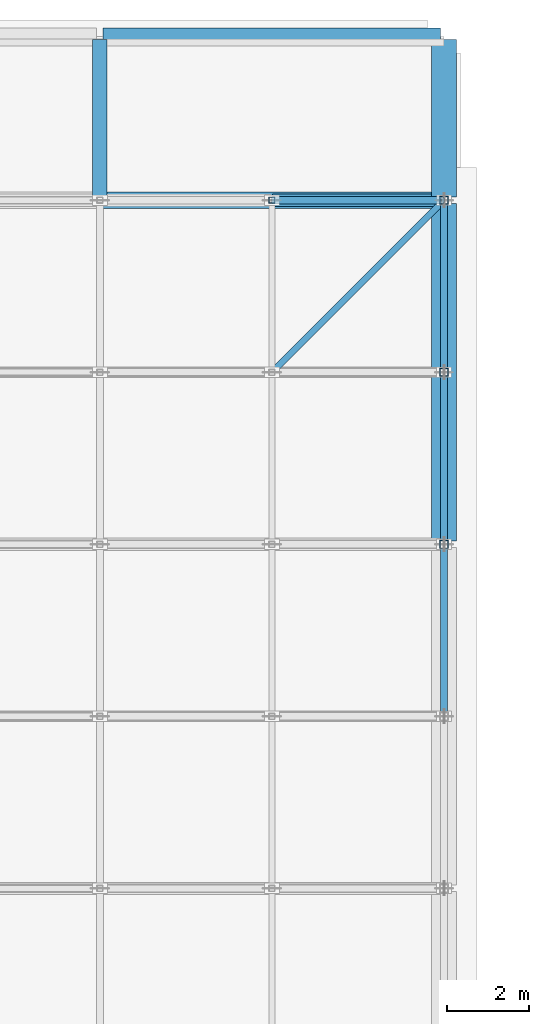
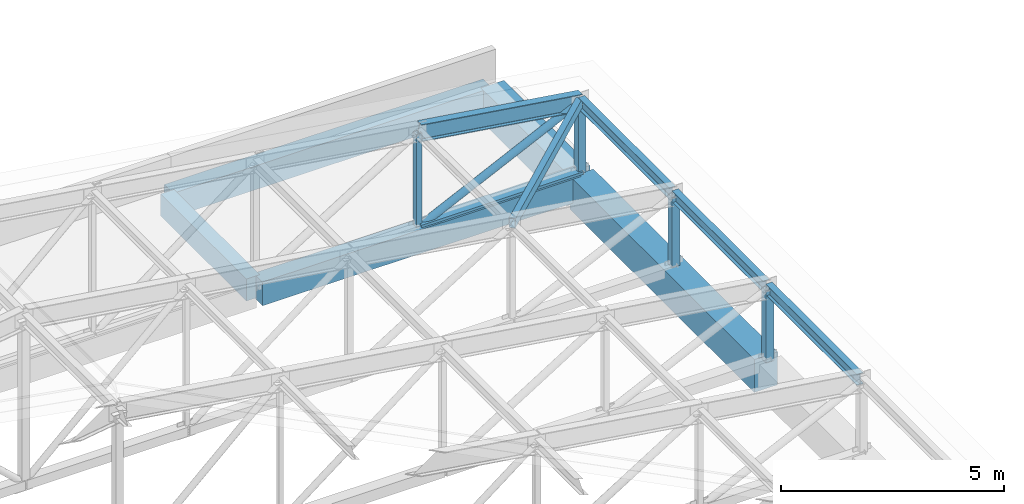
# One storey, part 41 of 122: 11 members, 5 beams.
"""IFC4 building model written with IfcOpenShell, lengths in metres."""

import ifcopenshell
import ifcopenshell.guid

model = None  # the IFC model being written
_history = None  # IfcOwnerHistory: only IFC2X3 demands one
_inside = {}  # id of a spatial element -> (the spatial element, [elements in it])
_under = {}  # id of a project, library or spatial element -> (it, [spatial elements below it])
_declared = {}  # id of a project -> (the project, [libraries it declares])
_typed = {}  # id of a type object -> (the type object, [elements of that type])
_made_of = {}  # id of a material, layer set ... -> (it, [elements and type objects made of it])


def new_model(schema):
    """Start an empty IFC model of exactly this schema.

    Asked for "IFC4X3", IfcOpenShell would pick the latest addendum, in which some entities
    have other attributes; the version numbers below select the first issue.
    IFC2X3 requires an IfcOwnerHistory on every rooted entity: one is made here for all.
    """
    global model, _history
    if schema == "IFC4X3":
        model = ifcopenshell.file(schema_version=(4, 3, 0, 0))
    else:
        model = ifcopenshell.file(schema=schema)
    _inside.clear()
    _under.clear()
    _declared.clear()
    _typed.clear()
    _made_of.clear()
    _history = None
    if model.schema == "IFC2X3":
        org = make("IfcOrganization", Name="unknown")
        user = make(
            "IfcPersonAndOrganization",
            ThePerson=make("IfcPerson", FamilyName="unknown"),
            TheOrganization=org,
        )
        app = make(
            "IfcApplication",
            ApplicationDeveloper=org,
            Version="unknown",
            ApplicationFullName="unknown",
            ApplicationIdentifier="unknown",
        )
        _history = make(
            "IfcOwnerHistory",
            OwningUser=user,
            OwningApplication=app,
            ChangeAction="ADDED",
            CreationDate=0,
        )
    return model


def make(cls, **values):
    """One entity of the class cls with the attributes given. An attribute that is None is left unset."""
    return model.create_entity(
        cls, **{name: value for name, value in values.items() if value is not None}
    )


def rooted(cls, **values):
    """An entity with a GlobalId (a new one), such as an element, a storey or a relation."""
    return make(cls, GlobalId=ifcopenshell.guid.new(), OwnerHistory=_history, **values)


def si_unit(unit_type, name, prefix=None):
    """IfcSIUnit, for example si_unit("LENGTHUNIT", "METRE", prefix="MILLI")."""
    return make("IfcSIUnit", UnitType=unit_type, Prefix=prefix, Name=name)


def assignment(units):
    """IfcUnitAssignment: the units of a project."""
    return None if units is None else make("IfcUnitAssignment", Units=units)


def point(xyz):
    """IfcCartesianPoint."""
    return None if xyz is None else make("IfcCartesianPoint", Coordinates=xyz)


def direction(xyz):
    """IfcDirection."""
    return None if xyz is None else make("IfcDirection", DirectionRatios=xyz)


def frame(location, z_axis=None, x_axis=None):
    """IfcAxis2Placement3D, a coordinate frame: its origin and axes. An axis left out is left unset."""
    return make(
        "IfcAxis2Placement3D",
        Location=point(location),
        Axis=direction(z_axis),
        RefDirection=direction(x_axis),
    )


def frame_2d(location, x_axis=None):
    """IfcAxis2Placement2D, a coordinate frame in the plane: its origin and x axis."""
    return make(
        "IfcAxis2Placement2D", Location=point(location), RefDirection=direction(x_axis)
    )


def origin():
    """The frame at (0, 0, 0) with its axes left unset."""
    return frame((0.0, 0.0, 0.0))


def origin_2d():
    """The frame at (0, 0) in the plane with its x axis left unset."""
    return frame_2d((0.0, 0.0))


def place(relative_to, where):
    """IfcLocalPlacement: puts the frame where relative to a parent placement (None: the world)."""
    return make(
        "IfcLocalPlacement", PlacementRelTo=relative_to, RelativePlacement=where
    )


def context(
    kind, dimensions, precision=None, world=None, true_north=None, identifier=None
):
    """IfcGeometricRepresentationContext, for example the 3D "Model" context."""
    return make(
        "IfcGeometricRepresentationContext",
        ContextIdentifier=identifier,
        ContextType=kind,
        CoordinateSpaceDimension=dimensions,
        Precision=precision,
        WorldCoordinateSystem=world,
        TrueNorth=true_north,
    )


def subcontext(parent, identifier, kind, view, scale=None):
    """IfcGeometricRepresentationSubContext, for example "Body" below "Model"."""
    return make(
        "IfcGeometricRepresentationSubContext",
        ContextIdentifier=identifier,
        ContextType=kind,
        ParentContext=parent,
        TargetScale=scale,
        TargetView=view,
    )


def project(units=None, contexts=None):
    """IfcProject with its units and contexts."""
    return rooted(
        "IfcProject",
        Name="project",
        RepresentationContexts=contexts,
        UnitsInContext=assignment(units),
    )


def spatial(cls, under=None, at=None, **own):
    """A site, building, storey or space (cls), placed at a placement, below another one or the project."""
    s = rooted(cls, ObjectPlacement=at, **own)
    if under is not None:
        _under.setdefault(under.id(), (under, []))[1].append(s)
    return s


def profile(cls, at=None, kind="AREA", **sizes):
    """A parametric profile (cls). Its sizes go by their IFC names, for example OverallWidth=200.0."""
    return make(cls, ProfileType=kind, Position=at, **sizes)


def rectangle(**sizes):
    """IfcRectangleProfileDef."""
    return profile("IfcRectangleProfileDef", **sizes)


def hollow_rectangle(**sizes):
    """IfcRectangleHollowProfileDef."""
    return profile("IfcRectangleHollowProfileDef", **sizes)


def hollow_circle(**sizes):
    """IfcCircleHollowProfileDef."""
    return profile("IfcCircleHollowProfileDef", **sizes)


def i_section(**sizes):
    """IfcIShapeProfileDef."""
    return profile("IfcIShapeProfileDef", **sizes)


def extrude(swept, where, along, depth):
    """IfcExtrudedAreaSolid: the profile swept, set in the frame where, extruded along a direction by depth."""
    return make(
        "IfcExtrudedAreaSolid",
        SweptArea=swept,
        Position=where,
        ExtrudedDirection=direction(along),
        Depth=depth,
    )


def shape(context_of_items, identifier, shape_type, items):
    """IfcShapeRepresentation: the items that make up one representation, for example the "Body"."""
    return make(
        "IfcShapeRepresentation",
        ContextOfItems=context_of_items,
        RepresentationIdentifier=identifier,
        RepresentationType=shape_type,
        Items=items,
    )


def material(Name=None, Category=None):
    """IfcMaterial."""
    return make("IfcMaterial", Name=Name, Category=Category)


def material_profile(
    of_material, cross_section, Name=None, Category=None, Priority=None
):
    """IfcMaterialProfile: a cross section and its material."""
    return make(
        "IfcMaterialProfile",
        Name=Name,
        Material=of_material,
        Profile=cross_section,
        Priority=Priority,
        Category=Category,
    )


def profile_set(profiles, Name=None, composite=None):
    """IfcMaterialProfileSet."""
    return make(
        "IfcMaterialProfileSet",
        Name=Name,
        MaterialProfiles=profiles,
        CompositeProfile=composite,
    )


def made_of(thing, what):
    """Note that an element or type object is made of a material, layer set ...; save() writes the relation."""
    if what is not None:
        _made_of.setdefault(what.id(), (what, []))[1].append(thing)
    return thing


def type_object(cls, material=None, **own):
    """A type object (cls), such as IfcWallType, which elements share."""
    return made_of(rooted(cls, **own), material)


def element(
    cls,
    number,
    at=None,
    inside=None,
    cuts=None,
    type_object=None,
    material=None,
    context=None,
    identifier="Body",
    shape_type=None,
    held_by="IfcProductDefinitionShape",
    body=None,
    shapes=None,
    **own,
):
    """One element of the class cls, such as IfcWall. Its Tag is "e" and its number.

    at: its placement. inside: the storey or other place that contains it. cuts: it is an
    opening in that element (IfcRelVoidsElement). A single representation is given by context,
    identifier, shape_type and body (its items); several are given by shapes. held_by: the class
    of the entity that holds the representations. save() writes the other relations.
    """
    e = rooted(cls, Tag="e%d" % number, ObjectPlacement=at, **own)
    if body is not None:
        shapes = [shape(context, identifier, shape_type, body)]
    if shapes is not None:
        e.Representation = make(held_by, Representations=shapes)
    if inside is not None:
        _inside.setdefault(inside.id(), (inside, []))[1].append(e)
    if cuts is not None:
        rooted(
            "IfcRelVoidsElement", RelatingBuildingElement=cuts, RelatedOpeningElement=e
        )
    if type_object is not None:
        _typed.setdefault(type_object.id(), (type_object, []))[1].append(e)
    return made_of(e, material)


def aggregate(whole, parts):
    """IfcRelAggregates: a whole, such as a stair, and the parts it consists of."""
    return rooted("IfcRelAggregates", RelatingObject=whole, RelatedObjects=parts)


def save(model, path):
    """Write the relations noted so far, then the file.

    IfcRelAggregates (storeys below a building ...), IfcRelContainedInSpatialStructure (elements
    in a storey), IfcRelDefinesByType, IfcRelAssociatesMaterial and IfcRelDeclares: one each for
    every whole, place, type object, material and project.
    """
    for whole, parts in _under.values():
        aggregate(whole, parts)
    for where, things in _inside.values():
        rooted(
            "IfcRelContainedInSpatialStructure",
            RelatedElements=things,
            RelatingStructure=where,
        )
    for kind, things in _typed.values():
        rooted("IfcRelDefinesByType", RelatedObjects=things, RelatingType=kind)
    for what, things in _made_of.values():
        rooted("IfcRelAssociatesMaterial", RelatedObjects=things, RelatingMaterial=what)
    for by, libraries in _declared.values():
        rooted("IfcRelDeclares", RelatingContext=by, RelatedDefinitions=libraries)
    model.write(path)


model = new_model("IFC4")

# Units and contexts
model_context = context("Model", 3, precision=1e-05, world=origin(), true_north=direction((0.0, 1.0)))
body_context = subcontext(model_context, "Body", "Model", "MODEL_VIEW")
ifc_project = project(units=[si_unit("LENGTHUNIT", "METRE"), si_unit("AREAUNIT", "SQUARE_METRE"), si_unit("VOLUMEUNIT", "CUBIC_METRE"), si_unit("PLANEANGLEUNIT", "RADIAN"), si_unit("MASSUNIT", "GRAM", prefix="KILO")], contexts=[model_context])

# Site, building, storey
site_placement = place(None, origin())
site = spatial("IfcSite", under=ifc_project, at=site_placement, CompositionType="ELEMENT")
building_placement = place(site_placement, origin())
building = spatial("IfcBuilding", under=site, at=building_placement, Name="Telukmera Botanical Conservatory", CompositionType="ELEMENT")
storey_placement = place(building_placement, frame((0.0, 0.0, 10.199951171875)))
storey = spatial("IfcBuildingStorey", under=building, at=storey_placement, Name="L02", CompositionType="ELEMENT", Elevation=10.199951171875)

# Beams
ifc_material_1 = material(Name="Concrete C40/50", Category="concrete")
ifc_material_profile_1 = material_profile(ifc_material_1, rectangle(XDim=0.60009765625, YDim=0.89990234375, at=origin_2d()), Name="RC 600x900")
ifc_profile_set_1 = profile_set([ifc_material_profile_1], Name="Concrete C40/50")
beam_type_1 = type_object("IfcBeamType", Name="Beam_B3", PredefinedType="BEAM", material=ifc_profile_set_1)
beam_1_placement = place(storey_placement, frame((42.0, 108.47998046875, -0.449951171875), z_axis=(0.0, 1.0, 0.0), x_axis=(-1.0, 0.0, 0.0)))
element("IfcBeam", 1, at=beam_1_placement, inside=storey, type_object=beam_type_1, Name="Auditorium Frame Beam beam:V2:L02:eave:420:1084", PredefinedType="BEAM", context=body_context, shape_type="SweptSolid", body=[
    extrude(rectangle(XDim=0.60009765625, YDim=0.89990234375, at=origin_2d()), origin(), (0.0, 0.0, 1.0), 8.239990234375),
])
beam_2_placement = place(storey_placement, frame((42.0, 116.8798828125, -0.449951171875), z_axis=(0.0, 1.0, 0.0), x_axis=(-1.0, 0.0, 0.0)))
element("IfcBeam", 2, at=beam_2_placement, inside=storey, type_object=beam_type_1, Name="Auditorium Frame Beam beam:V2:L02:eave:420:1168", PredefinedType="BEAM", context=body_context, shape_type="SweptSolid", body=[
    extrude(rectangle(XDim=0.60009765625, YDim=0.89990234375, at=origin_2d()), origin(), (0.0, 0.0, 1.0), 3.840087890625),
])
ifc_material_profile_2 = material_profile(ifc_material_1, rectangle(XDim=0.39990234375, YDim=0.64990234375, at=origin_2d()), Name="RC 400x650")
ifc_profile_set_2 = profile_set([ifc_material_profile_2], Name="Concrete C40/50")
beam_type_2 = type_object("IfcBeamType", Name="Beam_B8", PredefinedType="BEAM", material=ifc_profile_set_2)
for number, where, z_axis, x_axis, name in (
    (3, (33.679931640625, 116.800048828125, -0.324951171875), (1.0, 0.0, 0.0), (0.0, 1.0, 0.0), "Auditorium Frame Beam beam:V2:L02:port_x:1168:336"),
    (4, (33.679931640625, 120.800048828125, -0.324951171875), (1.0, 0.0, 0.0), (0.0, 1.0, 0.0), "Auditorium Frame Beam beam:V2:L02:port_x:1208:336"),
):
    element("IfcBeam", number, at=place(storey_placement, frame(where, z_axis=z_axis, x_axis=x_axis)), inside=storey, type_object=beam_type_2, Name=name, PredefinedType="BEAM", context=body_context, shape_type="SweptSolid", body=[
        extrude(rectangle(XDim=0.39990234375, YDim=0.64990234375, at=origin_2d()), origin(), (0.0, 0.0, 1.0), 8.239990234375),
    ])
ifc_material_profile_3 = material_profile(ifc_material_1, rectangle(XDim=0.35009765625, YDim=0.60009765625, at=origin_2d()), Name="RC 350x600")
ifc_profile_set_3 = profile_set([ifc_material_profile_3], Name="Concrete C40/50")
beam_type_3 = type_object("IfcBeamType", Name="Beam_B9", PredefinedType="BEAM", material=ifc_profile_set_3)
beam_3_placement = place(storey_placement, frame((33.60009765625, 116.8798828125, -0.300048828125), z_axis=(0.0, 1.0, 0.0), x_axis=(-1.0, 0.0, 0.0)))
element("IfcBeam", 5, at=beam_3_placement, inside=storey, type_object=beam_type_3, Name="Auditorium Frame Beam beam:V2:L02:port_y:336", PredefinedType="BEAM", context=body_context, shape_type="SweptSolid", body=[
    extrude(rectangle(XDim=0.35009765625, YDim=0.60009765625, at=origin_2d()), origin(), (0.0, 0.0, 1.0), 3.840087890625),
])

# Members
ifc_material_2 = material(Name="Steel S355", Category="steel")
ifc_material_profile_4 = material_profile(ifc_material_2, hollow_rectangle(XDim=0.300048828125, YDim=0.300048828125, WallThickness=0.012451171875, at=origin_2d()), Name="SHS 300x300x12.5")
ifc_profile_set_4 = profile_set([ifc_material_profile_4], Name="Steel S355")
member_type_1 = type_object("IfcMemberType", Name="Mem_TC3", PredefinedType="CHORD", material=ifc_profile_set_4)
member_1_placement = place(storey_placement, frame((37.820068359375, 116.800048828125, -0.079833984375), z_axis=(1.0, 0.0, 0.0), x_axis=(0.0, 1.0, 0.0)))
element("IfcMember", 6, at=member_1_placement, inside=storey, type_object=member_type_1, Name="Auditorium Pratt Truss Bottom Chord T9-8", PredefinedType="CHORD", context=body_context, shape_type="SweptSolid", body=[
    extrude(hollow_rectangle(XDim=0.300048828125, YDim=0.300048828125, WallThickness=0.012451171875, at=origin_2d()), origin(), (0.0, 0.0, 1.0), 4.179931640625),
])
ifc_material_profile_5 = material_profile(ifc_material_2, i_section(OverallWidth=0.19140625, OverallDepth=0.4599609375, WebThickness=0.010009765625, FlangeThickness=0.01611328125, FilletRadius=0.01025390625, at=origin_2d()), Name="UB 457x191x82")
ifc_profile_set_5 = profile_set([ifc_material_profile_5], Name="Steel S355")
member_type_2 = type_object("IfcMemberType", Name="Mem_TC4", PredefinedType="CHORD", material=ifc_profile_set_5)
member_2_placement = place(storey_placement, frame((37.81982421875, 116.800048828125, 2.544677734375), z_axis=(0.989022603236, 0.0, -0.147764306545), x_axis=(0.0, 1.0, 0.0)))
element("IfcMember", 7, at=member_2_placement, inside=storey, type_object=member_type_2, Name="Auditorium Pratt Truss Top Chord T9-8", PredefinedType="CHORD", context=body_context, shape_type="SweptSolid", body=[
    extrude(i_section(OverallWidth=0.19140625, OverallDepth=0.4599609375, WebThickness=0.010009765625, FlangeThickness=0.01611328125, FilletRadius=0.01025390625, at=origin_2d()), origin(), (0.0, 0.0, 1.0), 4.20654296875),
])
ifc_material_profile_6 = material_profile(ifc_material_2, hollow_circle(Radius=0.096923828125, WallThickness=0.008056640625, at=origin_2d()), Name="CHS 193.7x8.0")
ifc_profile_set_6 = profile_set([ifc_material_profile_6], Name="Steel S355")
member_type_3 = type_object("IfcMemberType", Name="Mem_TD1", PredefinedType="BRACE", material=ifc_profile_set_6)
member_3_placement = place(storey_placement, frame((37.8271484375, 116.800048828125, -0.067138671875), z_axis=(0.902843811044, 0.0, 0.429968664973), x_axis=(0.0, 1.0, 0.0)))
element("IfcMember", 8, at=member_3_placement, inside=storey, type_object=member_type_3, Name="Auditorium Pratt Truss Web Diagonal T9-D8", PredefinedType="BRACE", context=body_context, shape_type="SweptSolid", body=[
    extrude(hollow_circle(Radius=0.096923828125, WallThickness=0.008056640625, at=origin_2d()), origin(), (0.0, 0.0, 1.0), 4.591796875),
])
ifc_material_profile_7 = material_profile(ifc_material_2, hollow_rectangle(XDim=0.14990234375, YDim=0.25, WallThickness=0.008056640625, at=origin_2d()), Name="RHS 250x150x8.0")
ifc_profile_set_7 = profile_set([ifc_material_profile_7], Name="Steel S355")
member_type_4 = type_object("IfcMemberType", Name="Mem_TD4", PredefinedType="BRACE", material=ifc_profile_set_7)
member_4_placement = place(storey_placement, frame((37.85009765625, 112.64990234375, 2.5478515625), z_axis=(0.702978611461, 0.703020472868, -0.107625677965), x_axis=(-0.707127833863, 0.707085727883, 0.0)))
element("IfcMember", 9, at=member_4_placement, inside=storey, type_object=member_type_4, Name="Auditorium Roof Plane Wind Brace RB8-7", PredefinedType="BRACE", context=body_context, shape_type="SweptSolid", body=[
    extrude(hollow_rectangle(XDim=0.14990234375, YDim=0.25, WallThickness=0.008056640625, at=origin_2d()), origin(), (0.0, 0.0, 1.0), 5.83203125),
])
ifc_material_profile_8 = material_profile(ifc_material_2, i_section(OverallWidth=0.165771484375, OverallDepth=0.306640625, WebThickness=0.006591796875, FlangeThickness=0.01171875, FilletRadius=0.0087890625, at=origin_2d()), Name="UB 305x165x46")
ifc_profile_set_8 = profile_set([ifc_material_profile_8], Name="Steel S355")
member_type_5 = type_object("IfcMemberType", Name="Mem_TPB1", PredefinedType="PURLIN", material=ifc_profile_set_8)
for number, where, z_axis, x_axis, name in (
    (10, (42.0, 104.260009765625, 1.920166015625), (0.0, 1.0, 0.0), (-1.0, 0.0, 0.0), "Auditorium Roof Steel Purlin P6-8"),
    (11, (42.0, 108.4599609375, 1.920166015625), (0.0, 1.0, 0.0), (-1.0, 0.0, 0.0), "Auditorium Roof Steel Purlin P7-8"),
    (12, (42.0, 112.659912109375, 1.920166015625), (0.0, 1.0, 0.0), (-1.0, 0.0, 0.0), "Auditorium Roof Steel Purlin P8-8"),
):
    element("IfcMember", number, at=place(storey_placement, frame(where, z_axis=z_axis, x_axis=x_axis)), inside=storey, type_object=member_type_5, Name=name, PredefinedType="PURLIN", context=body_context, shape_type="SweptSolid", body=[
        extrude(i_section(OverallWidth=0.165771484375, OverallDepth=0.306640625, WebThickness=0.006591796875, FlangeThickness=0.01171875, FilletRadius=0.0087890625, at=origin_2d()), origin(), (0.0, 0.0, 1.0), 4.080078125),
    ])
ifc_material_profile_9 = material_profile(ifc_material_2, hollow_rectangle(XDim=0.199951171875, YDim=0.199951171875, WallThickness=0.010009765625, at=origin_2d()), Name="SHS 200x200x10.0")
ifc_profile_set_9 = profile_set([ifc_material_profile_9], Name="Steel S355")
member_type_6 = type_object("IfcMemberType", Name="Mem_TV1", PredefinedType="POST", material=ifc_profile_set_9)
for number, where, z_axis, x_axis, name in (
    (13, (42.0, 108.39990234375, -0.06005859375), (0.0, 0.0, 1.0), (1.0, 0.0, 0.0), "Auditorium Pratt Truss Vertical T7-V8"),
    (14, (42.0, 112.60009765625, -0.06005859375), (0.0, 0.0, 1.0), (1.0, 0.0, 0.0), "Auditorium Pratt Truss Vertical T8-V8"),
    (15, (42.0, 116.800048828125, -0.06005859375), (0.0, 0.0, 1.0), (1.0, 0.0, 0.0), "Auditorium Pratt Truss Vertical T9-V8"),
):
    element("IfcMember", number, at=place(storey_placement, frame(where, z_axis=z_axis, x_axis=x_axis)), inside=storey, type_object=member_type_6, Name=name, PredefinedType="POST", context=body_context, shape_type="SweptSolid", body=[
        extrude(hollow_rectangle(XDim=0.199951171875, YDim=0.199951171875, WallThickness=0.010009765625, at=origin_2d()), origin(), (0.0, 0.0, 1.0), 1.960205078125),
    ])
ifc_material_profile_10 = material_profile(ifc_material_2, hollow_rectangle(XDim=0.14990234375, YDim=0.14990234375, WallThickness=0.008056640625, at=origin_2d()), Name="SHS 150x150x8.0")
ifc_profile_set_10 = profile_set([ifc_material_profile_10], Name="Steel S355")
member_type_7 = type_object("IfcMemberType", Name="Mem_TV2", PredefinedType="POST", material=ifc_profile_set_10)
member_5_placement = place(storey_placement, frame((37.800048828125, 116.800048828125, -0.06005859375), z_axis=(0.0, 0.0, 1.0), x_axis=(1.0, 0.0, 0.0)))
element("IfcMember", 16, at=member_5_placement, inside=storey, type_object=member_type_7, Name="Auditorium Pratt Truss Vertical T9-V7", PredefinedType="POST", context=body_context, shape_type="SweptSolid", body=[
    extrude(hollow_rectangle(XDim=0.14990234375, YDim=0.14990234375, WallThickness=0.008056640625, at=origin_2d()), origin(), (0.0, 0.0, 1.0), 2.587890625),
])

save(model, "model.ifc")
